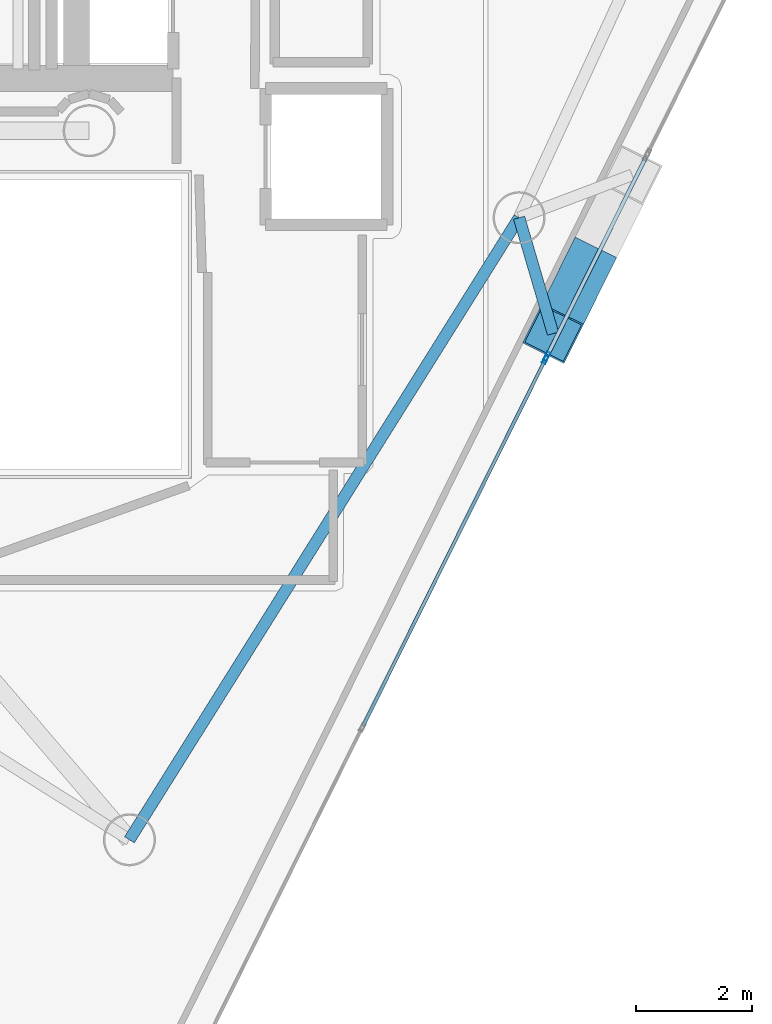
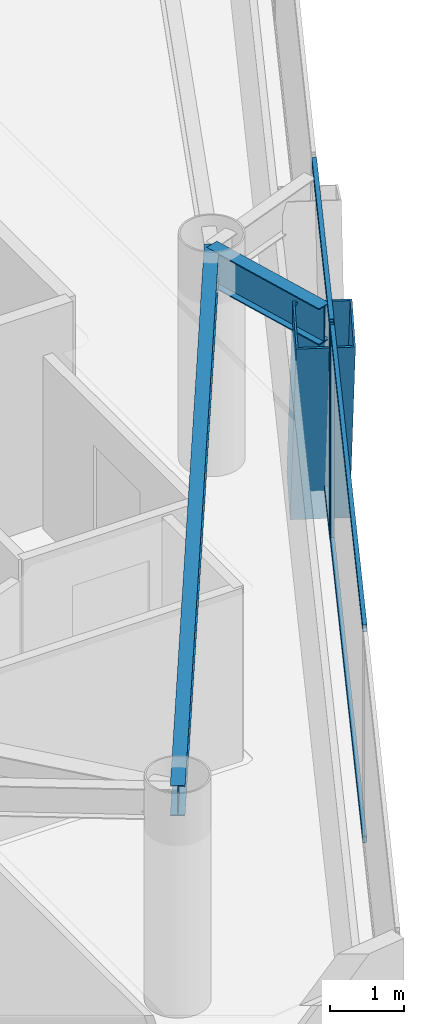
# One storey, part 5 of 23: 7 members, 2 beams, 2 elements without a shape of their own.
"""IFC4 building model written with IfcOpenShell, lengths in metres."""

from ifc_helpers import new_model, si_unit, direction, frame, origin, origin_2d, place, context, subcontext, project, spatial, hollow_rectangle, i_section, extrude, material, layer, layer_set, material_profile, profile_set, type_object, element, aggregate, save


model = new_model("IFC4")

# Units and contexts
model_context = context("Model", 3, precision=1e-05, world=origin(), true_north=direction((0.0, 1.0)))
body_context = subcontext(model_context, "Body", "Model", "MODEL_VIEW")
ifc_project = project(units=[si_unit("LENGTHUNIT", "METRE"), si_unit("AREAUNIT", "SQUARE_METRE"), si_unit("VOLUMEUNIT", "CUBIC_METRE"), si_unit("PLANEANGLEUNIT", "RADIAN"), si_unit("MASSUNIT", "GRAM", prefix="KILO")], contexts=[model_context])

# Site, building, storey
site_placement = place(None, origin())
site = spatial("IfcSite", under=ifc_project, at=site_placement, CompositionType="ELEMENT")
building_placement = place(site_placement, origin())
building = spatial("IfcBuilding", under=site, at=building_placement, Name="Qianvela Tower", CompositionType="ELEMENT")
storey_placement = place(building_placement, frame((0.0, 0.0, 313.89990234375)))
storey = spatial("IfcBuildingStorey", under=building, at=storey_placement, Name="L81", CompositionType="ELEMENT", Elevation=313.89990234375)

# Beams
ifc_material_1 = material(Name="Steel Q355B", Category="steel")
ifc_material_profile_1 = material_profile(ifc_material_1, i_section(OverallWidth=0.199951171875, OverallDepth=0.5, WebThickness=0.010009765625, FlangeThickness=0.01611328125, at=origin_2d()), Name="HN500x200x10x16")
ifc_profile_set_1 = profile_set([ifc_material_profile_1], Name="Steel Q355B")
beam_type_1 = type_object("IfcBeamType", Name="BM-HN500-GIRD", PredefinedType="BEAM", material=ifc_profile_set_1)
beam_1_placement = place(storey_placement, frame((39.095947265625, 11.587890625, 3.26806640625), z_axis=(0.530840654868, 0.847471650935, 0.0), x_axis=(-0.847471650935, 0.530840654868, 0.0)))
element("IfcBeam", 1, at=beam_1_placement, inside=storey, type_object=beam_type_1, Name="L81 Perimeter Ring Spandrel Girder 5", PredefinedType="BEAM", context=body_context, shape_type="SweptSolid", body=[
    extrude(i_section(OverallWidth=0.199951171875, OverallDepth=0.5, WebThickness=0.010009765625, FlangeThickness=0.01611328125, at=origin_2d()), origin(), (0.0, 0.0, 1.0), 12.693115234375),
])
ifc_material_2 = material(Name="Steel Q355B", Category="steel")
ifc_material_profile_2 = material_profile(ifc_material_2, i_section(OverallWidth=0.199951171875, OverallDepth=0.60009765625, WebThickness=0.010986328125, FlangeThickness=0.01708984375, at=origin_2d()), Name="HN600x200x11x17")
ifc_profile_set_2 = profile_set([ifc_material_profile_2], Name="Steel Q355B")
beam_type_2 = type_object("IfcBeamType", Name="BM-HN600-GIRD", PredefinedType="BEAM", material=ifc_profile_set_2)
beam_2_placement = place(storey_placement, frame((45.833984375, 22.344970703125, 3.218017578125), z_axis=(0.281400367333, -0.959590450799, 0.0), x_axis=(0.959590450799, 0.281400367333, 0.0)))
element("IfcBeam", 2, at=beam_2_placement, inside=storey, type_object=beam_type_2, Name="L81 Mega-Brace Column Tie Bracket F3-1", PredefinedType="BEAM", context=body_context, shape_type="SweptSolid", body=[
    extrude(i_section(OverallWidth=0.199951171875, OverallDepth=0.60009765625, WebThickness=0.010986328125, FlangeThickness=0.01708984375, at=origin_2d()), origin(), (0.0, 0.0, 1.0), 2.08837890625),
])

# Curtain wall, members
ifc_material_3 = material(Name="Anodised Architectural Aluminium and Insulated Spandrel Panel", Category="aluminium")
ifc_layer_1 = layer(ifc_material_3, 0.179931640625)
ifc_layer_set_1 = layer_set([ifc_layer_1], Name="Anodised Architectural Aluminium and Insulated Spandrel Panel")
curtain_wall_type_1 = type_object("IfcCurtainWallType", Name="CW-BRACEBAY", PredefinedType="USERDEFINED", material=ifc_layer_set_1)
curtain_wall_1_placement = place(storey_placement, origin())
curtain_wall_1 = element("IfcCurtainWall", 3, at=curtain_wall_1_placement, inside=storey, type_object=curtain_wall_type_1, Name="L81 CW-BRACEBAY Curtain Wall 06B", ObjectType="CURTAIN_WALL_SYSTEM", PredefinedType="USERDEFINED")
ifc_material_4 = material(Name="Anodised Architectural Aluminium 6063-T6", Category="aluminium")
ifc_material_profile_3 = material_profile(ifc_material_4, hollow_rectangle(XDim=0.06494140625, YDim=0.159912109375, WallThickness=0.0048828125, at=origin_2d()), Name="ALU-MULL-65x160")
ifc_profile_set_3 = profile_set([ifc_material_profile_3], Name="Anodised Architectural Aluminium 6063-T6")
member_type_1 = type_object("IfcMemberType", Name="CW-BRACEBAY-MULL", PredefinedType="MULLION", material=ifc_profile_set_3)
member_1_placement = place(storey_placement, frame((46.31494140625, 19.94677734375, 0.0), z_axis=(0.0, 0.0, 1.0), x_axis=(-0.895346416353, 0.445370401715, 0.0)))
member_1 = element("IfcMember", 4, at=member_1_placement, type_object=member_type_1, Name="CW-9 mullion 1", PredefinedType="MULLION", context=body_context, shape_type="SweptSolid", body=[
    extrude(hollow_rectangle(XDim=0.06494140625, YDim=0.159912109375, WallThickness=0.0048828125, at=origin_2d()), origin(), (0.0, 0.0, 1.0), 3.52001953125),
])
ifc_material_5 = material(Name="Anodised Architectural Aluminium 6063-T6", Category="aluminium")
ifc_material_profile_4 = material_profile(ifc_material_5, hollow_rectangle(XDim=0.06494140625, YDim=0.1298828125, WallThickness=0.00439453125, at=origin_2d()), Name="ALU-TRAN-65x130")
ifc_profile_set_4 = profile_set([ifc_material_profile_4], Name="Anodised Architectural Aluminium 6063-T6")
member_type_2 = type_object("IfcMemberType", Name="CW-BRACEBAY-TRAN", PredefinedType="USERDEFINED", material=ifc_profile_set_4)
member_2_placement = place(storey_placement, frame((46.329345703125, 19.975830078125, 0.03271484375), z_axis=(0.445362316172, 0.895350438283, 0.0), x_axis=(-0.895350438283, 0.445362316172, 0.0)))
member_2 = element("IfcMember", 5, at=member_2_placement, type_object=member_type_2, Name="CW-9 transom 1.1", ObjectType="TRANSOM", PredefinedType="USERDEFINED", context=body_context, shape_type="SweptSolid", body=[
    extrude(hollow_rectangle(XDim=0.06494140625, YDim=0.1298828125, WallThickness=0.00439453125, at=origin_2d()), origin(), (0.0, 0.0, 1.0), 3.800048828125),
])
member_3_placement = place(storey_placement, frame((46.329345703125, 19.975830078125, 3.487548828125), z_axis=(0.445362316172, 0.895350438283, 0.0), x_axis=(-0.895350438283, 0.445362316172, 0.0)))
member_3 = element("IfcMember", 6, at=member_3_placement, type_object=member_type_2, Name="CW-9 transom 1.2", ObjectType="TRANSOM", PredefinedType="USERDEFINED", context=body_context, shape_type="SweptSolid", body=[
    extrude(hollow_rectangle(XDim=0.06494140625, YDim=0.1298828125, WallThickness=0.00439453125, at=origin_2d()), origin(), (0.0, 0.0, 1.0), 3.800048828125),
])
aggregate(curtain_wall_1, [member_1, member_2, member_3])

ifc_material_6 = material(Name="Anodised Architectural Aluminium and Low-E Glass", Category="aluminium")
ifc_layer_2 = layer(ifc_material_6, 0.14990234375)
ifc_layer_set_2 = layer_set([ifc_layer_2], Name="Anodised Architectural Aluminium and Low-E Glass")
curtain_wall_type_2 = type_object("IfcCurtainWallType", Name="CW-COLIV-Z78", PredefinedType="USERDEFINED", material=ifc_layer_set_2)
curtain_wall_2_placement = place(storey_placement, origin())
curtain_wall_2 = element("IfcCurtainWall", 7, at=curtain_wall_2_placement, inside=storey, type_object=curtain_wall_type_2, Name="L81 CW-COLIV-Z78 Curtain Wall 06A", ObjectType="CURTAIN_WALL_SYSTEM", PredefinedType="USERDEFINED")
ifc_material_7 = material(Name="Anodised Architectural Aluminium 6063-T6", Category="aluminium")
ifc_material_profile_5 = material_profile(ifc_material_7, hollow_rectangle(XDim=0.06005859375, YDim=0.139892578125, WallThickness=0.00439453125, at=origin_2d()), Name="ALU-MULL-60x140")
ifc_profile_set_5 = profile_set([ifc_material_profile_5], Name="Anodised Architectural Aluminium 6063-T6")
member_type_3 = type_object("IfcMemberType", Name="CW-COLIV-Z78-MULL", PredefinedType="MULLION", material=ifc_profile_set_5)
member_4_placement = place(storey_placement, frame((46.287109375, 19.890869140625, 0.0), z_axis=(0.0, 0.0, 1.0), x_axis=(-0.895347504339, 0.445368214486, 0.0)))
member_4 = element("IfcMember", 8, at=member_4_placement, type_object=member_type_3, Name="CW-6 mullion 3", PredefinedType="MULLION", context=body_context, shape_type="SweptSolid", body=[
    extrude(hollow_rectangle(XDim=0.06005859375, YDim=0.139892578125, WallThickness=0.00439453125, at=origin_2d()), origin(), (0.0, 0.0, 1.0), 3.52001953125),
])
ifc_material_8 = material(Name="Anodised Architectural Aluminium 6063-T6", Category="aluminium")
ifc_material_profile_6 = material_profile(ifc_material_8, hollow_rectangle(XDim=0.06005859375, YDim=0.114990234375, WallThickness=0.00390625, at=origin_2d()), Name="ALU-TRAN-60x115")
ifc_profile_set_6 = profile_set([ifc_material_profile_6], Name="Anodised Architectural Aluminium 6063-T6")
member_type_4 = type_object("IfcMemberType", Name="CW-COLIV-Z78-TRAN", PredefinedType="USERDEFINED", material=ifc_profile_set_6)
member_5_placement = place(storey_placement, frame((43.135986328125, 13.55615234375, 0.030029296875), z_axis=(0.445369069843, 0.895347078862, 0.0), x_axis=(-0.895347078862, 0.445369069843, 0.0)))
member_5 = element("IfcMember", 9, at=member_5_placement, type_object=member_type_4, Name="CW-6 transom 2.1", ObjectType="TRANSOM", PredefinedType="USERDEFINED", context=body_context, shape_type="SweptSolid", body=[
    extrude(hollow_rectangle(XDim=0.06005859375, YDim=0.114990234375, WallThickness=0.00390625, at=origin_2d()), origin(), (0.0, 0.0, 1.0), 7.045166015625),
])
member_6_placement = place(storey_placement, frame((43.135986328125, 13.55615234375, 3.489990234375), z_axis=(0.445369069843, 0.895347078862, 0.0), x_axis=(-0.895347078862, 0.445369069843, 0.0)))
member_6 = element("IfcMember", 10, at=member_6_placement, type_object=member_type_4, Name="CW-6 transom 2.2", ObjectType="TRANSOM", PredefinedType="USERDEFINED", context=body_context, shape_type="SweptSolid", body=[
    extrude(hollow_rectangle(XDim=0.06005859375, YDim=0.114990234375, WallThickness=0.00390625, at=origin_2d()), origin(), (0.0, 0.0, 1.0), 7.045166015625),
])
aggregate(curtain_wall_2, [member_4, member_5, member_6])

# Member
ifc_material_9 = material(Name="Steel Q420GJC", Category="steel")
ifc_material_profile_7 = material_profile(ifc_material_9, hollow_rectangle(XDim=0.800048828125, YDim=0.800048828125, WallThickness=0.028076171875, at=origin_2d()), Name="MBOX-800x800x28")
ifc_profile_set_7 = profile_set([ifc_material_profile_7], Name="Steel Q420GJC")
member_type_5 = type_object("IfcMemberType", Name="MBR-MBRACE-800", PredefinedType="BRACE", material=ifc_profile_set_7)
member_7_placement = place(storey_placement, frame((46.9951171875, 21.494140625, -0.48193359375), z_axis=(-0.146384676955, -0.294327300663, 0.944427321946), x_axis=(0.895373067867, -0.44531681906, 0.0)))
element("IfcMember", 11, at=member_7_placement, inside=storey, type_object=member_type_5, Name="L81 Tier 13 Exterior Mega-Brace F3A", PredefinedType="BRACE", context=body_context, shape_type="SweptSolid", body=[
    extrude(hollow_rectangle(XDim=0.800048828125, YDim=0.800048828125, WallThickness=0.028076171875, at=origin_2d()), origin(), (0.0, 0.0, 1.0), 3.917724609375),
])

save(model, "model.ifc")
